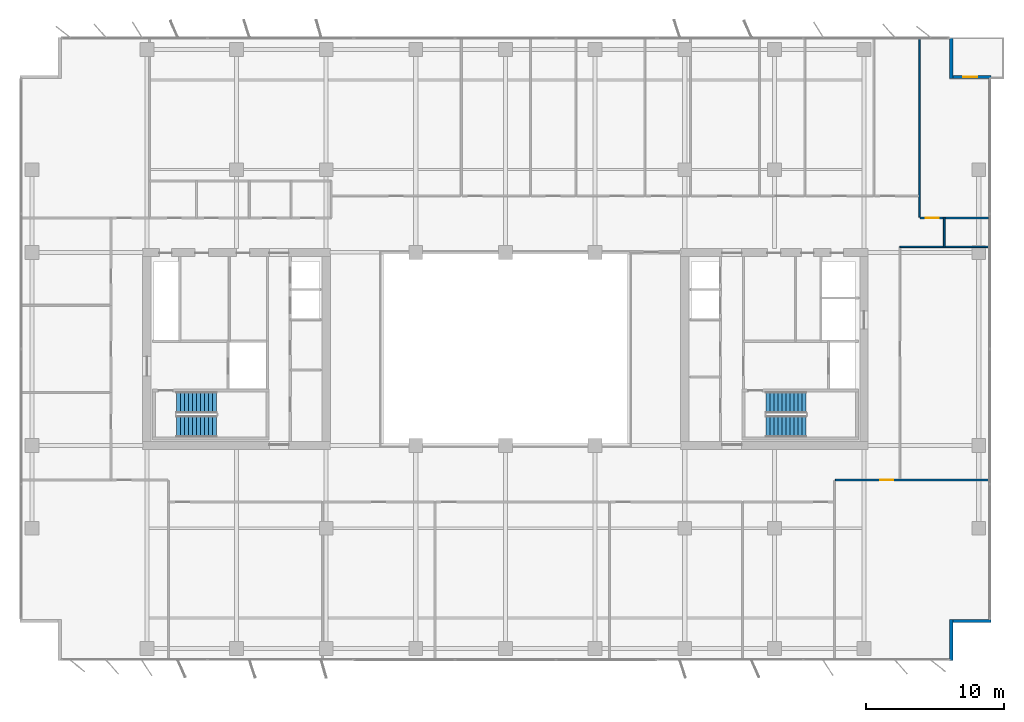
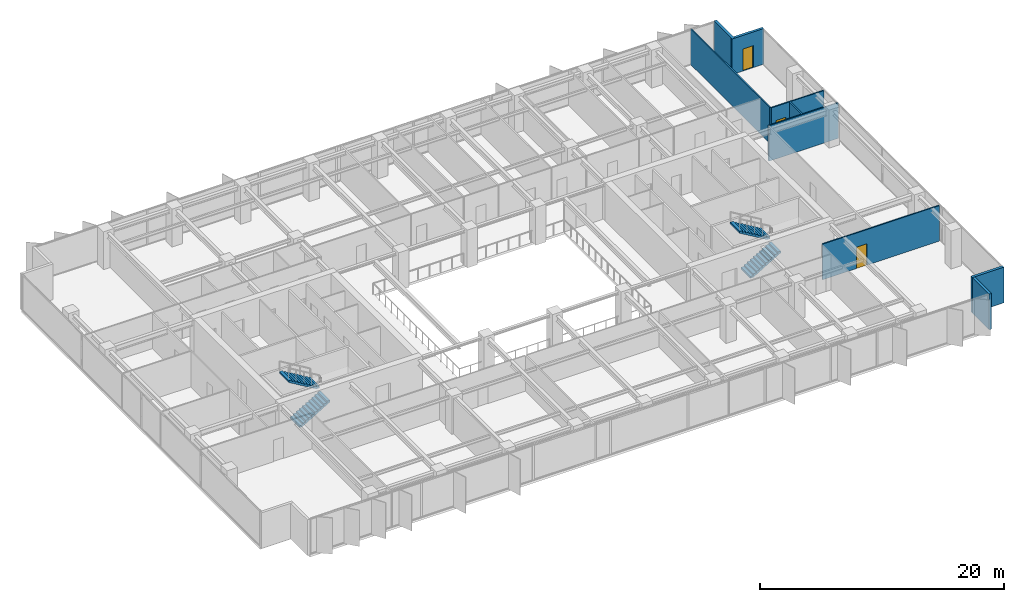
# One storey, part 18 of 22: 9 walls, 4 stair flights, 3 doors, 3 openings, 2 elements without a shape of their own.
"""IFC4 building model written with IfcOpenShell, lengths in metres."""

import ifcopenshell
import ifcopenshell.guid

model = None  # the IFC model being written
_history = None  # IfcOwnerHistory: only IFC2X3 demands one
_inside = {}  # id of a spatial element -> (the spatial element, [elements in it])
_under = {}  # id of a project, library or spatial element -> (it, [spatial elements below it])
_declared = {}  # id of a project -> (the project, [libraries it declares])
_typed = {}  # id of a type object -> (the type object, [elements of that type])
_made_of = {}  # id of a material, layer set ... -> (it, [elements and type objects made of it])


def new_model(schema):
    """Start an empty IFC model of exactly this schema.

    Asked for "IFC4X3", IfcOpenShell would pick the latest addendum, in which some entities
    have other attributes; the version numbers below select the first issue.
    IFC2X3 requires an IfcOwnerHistory on every rooted entity: one is made here for all.
    """
    global model, _history
    if schema == "IFC4X3":
        model = ifcopenshell.file(schema_version=(4, 3, 0, 0))
    else:
        model = ifcopenshell.file(schema=schema)
    _inside.clear()
    _under.clear()
    _declared.clear()
    _typed.clear()
    _made_of.clear()
    _history = None
    if model.schema == "IFC2X3":
        org = make("IfcOrganization", Name="unknown")
        user = make(
            "IfcPersonAndOrganization",
            ThePerson=make("IfcPerson", FamilyName="unknown"),
            TheOrganization=org,
        )
        app = make(
            "IfcApplication",
            ApplicationDeveloper=org,
            Version="unknown",
            ApplicationFullName="unknown",
            ApplicationIdentifier="unknown",
        )
        _history = make(
            "IfcOwnerHistory",
            OwningUser=user,
            OwningApplication=app,
            ChangeAction="ADDED",
            CreationDate=0,
        )
    return model


def make(cls, **values):
    """One entity of the class cls with the attributes given. An attribute that is None is left unset."""
    return model.create_entity(
        cls, **{name: value for name, value in values.items() if value is not None}
    )


def rooted(cls, **values):
    """An entity with a GlobalId (a new one), such as an element, a storey or a relation."""
    return make(cls, GlobalId=ifcopenshell.guid.new(), OwnerHistory=_history, **values)


def si_unit(unit_type, name, prefix=None):
    """IfcSIUnit, for example si_unit("LENGTHUNIT", "METRE", prefix="MILLI")."""
    return make("IfcSIUnit", UnitType=unit_type, Prefix=prefix, Name=name)


def assignment(units):
    """IfcUnitAssignment: the units of a project."""
    return None if units is None else make("IfcUnitAssignment", Units=units)


def point(xyz):
    """IfcCartesianPoint."""
    return None if xyz is None else make("IfcCartesianPoint", Coordinates=xyz)


def direction(xyz):
    """IfcDirection."""
    return None if xyz is None else make("IfcDirection", DirectionRatios=xyz)


def frame(location, z_axis=None, x_axis=None):
    """IfcAxis2Placement3D, a coordinate frame: its origin and axes. An axis left out is left unset."""
    return make(
        "IfcAxis2Placement3D",
        Location=point(location),
        Axis=direction(z_axis),
        RefDirection=direction(x_axis),
    )


def frame_2d(location, x_axis=None):
    """IfcAxis2Placement2D, a coordinate frame in the plane: its origin and x axis."""
    return make(
        "IfcAxis2Placement2D", Location=point(location), RefDirection=direction(x_axis)
    )


def origin():
    """The frame at (0, 0, 0) with its axes left unset."""
    return frame((0.0, 0.0, 0.0))


def place(relative_to, where):
    """IfcLocalPlacement: puts the frame where relative to a parent placement (None: the world)."""
    return make(
        "IfcLocalPlacement", PlacementRelTo=relative_to, RelativePlacement=where
    )


def context(
    kind, dimensions, precision=None, world=None, true_north=None, identifier=None
):
    """IfcGeometricRepresentationContext, for example the 3D "Model" context."""
    return make(
        "IfcGeometricRepresentationContext",
        ContextIdentifier=identifier,
        ContextType=kind,
        CoordinateSpaceDimension=dimensions,
        Precision=precision,
        WorldCoordinateSystem=world,
        TrueNorth=true_north,
    )


def subcontext(parent, identifier, kind, view, scale=None):
    """IfcGeometricRepresentationSubContext, for example "Body" below "Model"."""
    return make(
        "IfcGeometricRepresentationSubContext",
        ContextIdentifier=identifier,
        ContextType=kind,
        ParentContext=parent,
        TargetScale=scale,
        TargetView=view,
    )


def project(units=None, contexts=None):
    """IfcProject with its units and contexts."""
    return rooted(
        "IfcProject",
        Name="project",
        RepresentationContexts=contexts,
        UnitsInContext=assignment(units),
    )


def spatial(cls, under=None, at=None, **own):
    """A site, building, storey or space (cls), placed at a placement, below another one or the project."""
    s = rooted(cls, ObjectPlacement=at, **own)
    if under is not None:
        _under.setdefault(under.id(), (under, []))[1].append(s)
    return s


def polyline(points):
    """IfcPolyline through the points."""
    return make("IfcPolyline", Points=[point(p) for p in points])


def profile(cls, at=None, kind="AREA", **sizes):
    """A parametric profile (cls). Its sizes go by their IFC names, for example OverallWidth=200.0."""
    return make(cls, ProfileType=kind, Position=at, **sizes)


def rectangle(**sizes):
    """IfcRectangleProfileDef."""
    return profile("IfcRectangleProfileDef", **sizes)


def outline(outer, holes=None, kind="AREA"):
    """IfcArbitraryClosedProfileDef: a profile drawn as a closed curve; with holes, ...WithVoids."""
    if holes is None:
        return make("IfcArbitraryClosedProfileDef", ProfileType=kind, OuterCurve=outer)
    return make(
        "IfcArbitraryProfileDefWithVoids",
        ProfileType=kind,
        OuterCurve=outer,
        InnerCurves=holes,
    )


def extrude(swept, where, along, depth):
    """IfcExtrudedAreaSolid: the profile swept, set in the frame where, extruded along a direction by depth."""
    return make(
        "IfcExtrudedAreaSolid",
        SweptArea=swept,
        Position=where,
        ExtrudedDirection=direction(along),
        Depth=depth,
    )


def shape(context_of_items, identifier, shape_type, items):
    """IfcShapeRepresentation: the items that make up one representation, for example the "Body"."""
    return make(
        "IfcShapeRepresentation",
        ContextOfItems=context_of_items,
        RepresentationIdentifier=identifier,
        RepresentationType=shape_type,
        Items=items,
    )


def material(Name=None, Category=None):
    """IfcMaterial."""
    return make("IfcMaterial", Name=Name, Category=Category)


def layer(
    of_material, thickness, ventilated=None, Name=None, Category=None, Priority=None
):
    """IfcMaterialLayer: one layer of a wall or slab, of a material (None: an air gap)."""
    return make(
        "IfcMaterialLayer",
        Material=of_material,
        LayerThickness=thickness,
        IsVentilated=ventilated,
        Name=Name,
        Category=Category,
        Priority=Priority,
    )


def layer_set(layers, Name=None):
    """IfcMaterialLayerSet."""
    return make("IfcMaterialLayerSet", MaterialLayers=layers, LayerSetName=Name)


def made_of(thing, what):
    """Note that an element or type object is made of a material, layer set ...; save() writes the relation."""
    if what is not None:
        _made_of.setdefault(what.id(), (what, []))[1].append(thing)
    return thing


def type_object(cls, material=None, **own):
    """A type object (cls), such as IfcWallType, which elements share."""
    return made_of(rooted(cls, **own), material)


def element(
    cls,
    number,
    at=None,
    inside=None,
    cuts=None,
    type_object=None,
    material=None,
    context=None,
    identifier="Body",
    shape_type=None,
    held_by="IfcProductDefinitionShape",
    body=None,
    shapes=None,
    **own,
):
    """One element of the class cls, such as IfcWall. Its Tag is "e" and its number.

    at: its placement. inside: the storey or other place that contains it. cuts: it is an
    opening in that element (IfcRelVoidsElement). A single representation is given by context,
    identifier, shape_type and body (its items); several are given by shapes. held_by: the class
    of the entity that holds the representations. save() writes the other relations.
    """
    e = rooted(cls, Tag="e%d" % number, ObjectPlacement=at, **own)
    if body is not None:
        shapes = [shape(context, identifier, shape_type, body)]
    if shapes is not None:
        e.Representation = make(held_by, Representations=shapes)
    if inside is not None:
        _inside.setdefault(inside.id(), (inside, []))[1].append(e)
    if cuts is not None:
        rooted(
            "IfcRelVoidsElement", RelatingBuildingElement=cuts, RelatedOpeningElement=e
        )
    if type_object is not None:
        _typed.setdefault(type_object.id(), (type_object, []))[1].append(e)
    return made_of(e, material)


def fill(opening, filler):
    """IfcRelFillsElement: the door or window that sits in an opening."""
    return rooted(
        "IfcRelFillsElement",
        RelatingOpeningElement=opening,
        RelatedBuildingElement=filler,
    )


def aggregate(whole, parts):
    """IfcRelAggregates: a whole, such as a stair, and the parts it consists of."""
    return rooted("IfcRelAggregates", RelatingObject=whole, RelatedObjects=parts)


def save(model, path):
    """Write the relations noted so far, then the file.

    IfcRelAggregates (storeys below a building ...), IfcRelContainedInSpatialStructure (elements
    in a storey), IfcRelDefinesByType, IfcRelAssociatesMaterial and IfcRelDeclares: one each for
    every whole, place, type object, material and project.
    """
    for whole, parts in _under.values():
        aggregate(whole, parts)
    for where, things in _inside.values():
        rooted(
            "IfcRelContainedInSpatialStructure",
            RelatedElements=things,
            RelatingStructure=where,
        )
    for kind, things in _typed.values():
        rooted("IfcRelDefinesByType", RelatedObjects=things, RelatingType=kind)
    for what, things in _made_of.values():
        rooted("IfcRelAssociatesMaterial", RelatedObjects=things, RelatingMaterial=what)
    for by, libraries in _declared.values():
        rooted("IfcRelDeclares", RelatingContext=by, RelatedDefinitions=libraries)
    model.write(path)


model = new_model("IFC4")

# Units and contexts
model_context = context("Model", 3, precision=1e-05, world=origin(), true_north=direction((0.0, 1.0)))
body_context = subcontext(model_context, "Body", "Model", "MODEL_VIEW")
ifc_project = project(units=[si_unit("LENGTHUNIT", "METRE"), si_unit("AREAUNIT", "SQUARE_METRE"), si_unit("VOLUMEUNIT", "CUBIC_METRE"), si_unit("PLANEANGLEUNIT", "RADIAN"), si_unit("MASSUNIT", "GRAM", prefix="KILO")], contexts=[model_context])

# Site, building, storey
site_placement = place(None, origin())
site = spatial("IfcSite", under=ifc_project, at=site_placement, CompositionType="ELEMENT")
building_placement = place(site_placement, origin())
building = spatial("IfcBuilding", under=site, at=building_placement, Name="Putna Gate Headquarters", CompositionType="ELEMENT")
storey_placement = place(building_placement, frame((0.0, 0.0, 189.800048828125)))
storey = spatial("IfcBuildingStorey", under=building, at=storey_placement, Name="L47", CompositionType="ELEMENT", Elevation=189.800048828125)

# Wall
ifc_material_1 = material(Name="Precast concrete C40/50", Category="concrete")
ifc_layer_1 = layer(ifc_material_1, 0.239990234375)
ifc_layer_set_1 = layer_set([ifc_layer_1], Name="Precast concrete C40/50")
wall_type_1 = type_object("IfcWallType", Name="WALL-EXT-TERR-240", PredefinedType="STANDARD", material=ifc_layer_set_1)
wall_1_placement = place(storey_placement, frame((71.320068359375, 48.60009765625, 0.0), z_axis=(0.0, 0.0, 1.0), x_axis=(0.0, -1.0, 0.0)))
element("IfcWall", 1, at=wall_1_placement, inside=storey, type_object=wall_type_1, Name="L47 Corner Notch Return Wall NE-V", PredefinedType="STANDARD", context=body_context, shape_type="SweptSolid", body=[
    extrude(rectangle(XDim=3.0, YDim=0.239990234375, at=frame_2d((1.5, 0.0))), origin(), (0.0, 0.0, 1.0), 3.572021484375),
])

# Wall, opening, door
wall_2_placement = place(storey_placement, frame((71.199951171875, 45.719970703125, 0.0), z_axis=(0.0, 0.0, 1.0), x_axis=(1.0, 0.0, 0.0)))
wall_2 = element("IfcWall", 2, at=wall_2_placement, inside=storey, type_object=wall_type_1, Name="L47 Corner Notch Return Wall NE-H", PredefinedType="STANDARD", context=body_context, shape_type="SweptSolid", body=[
    extrude(rectangle(XDim=3.0, YDim=0.239990234375, at=frame_2d((1.5, 0.0))), origin(), (0.0, 0.0, 1.0), 3.572021484375),
])
opening_1_placement = place(wall_2_placement, frame((1.0, 0.0, 0.0)))
opening_1 = element("IfcOpeningElement", 3, at=opening_1_placement, cuts=wall_2, Name="Opening TRD-1", PredefinedType="OPENING", context=body_context, shape_type="SweptSolid", body=[
    extrude(rectangle(XDim=1.0, YDim=2.199951171875, at=frame_2d((0.5, 1.10009765625))), frame((0.0, 0.1298828125, 0.0), z_axis=(0.0, -1.0, 0.0), x_axis=(1.0, 0.0, 0.0)), (0.0, 0.0, 1.0), 0.260009765625),
])
ifc_material_2 = material(Name="Thermally broken bronze glazed terrace door")
door_type_1 = type_object("IfcDoorType", Name="DOOR-TERR-EXT-1000", OperationType="NOTDEFINED", PredefinedType="DOOR", material=ifc_material_2)
door_1_placement = place(opening_1_placement, origin())
door_1 = element("IfcDoor", 4, at=door_1_placement, inside=storey, type_object=door_type_1, Name="L47 Spiral Sky Terrace Door NE", OperationType="SINGLE_SWING_LEFT", OverallHeight=2.199951171875, OverallWidth=1.0, PredefinedType="DOOR", context=body_context, shape_type="SweptSolid", body=[
    extrude(rectangle(XDim=1.0, YDim=2.199951171875, at=frame_2d((0.5, 1.10009765625))), frame((0.0, 0.02490234375, 0.0), z_axis=(0.0, -1.0, 0.0), x_axis=(1.0, 0.0, 0.0)), (0.0, 0.0, 1.0), 0.050048828125),
])
fill(opening_1, door_1)

# Walls
for number, where, z_axis, x_axis, name in (
    (5, (71.320068359375, 6.39990234375, 0.0), (0.0, 0.0, 1.0), (0.0, -1.0, 0.0), "L47 Corner Notch Return Wall SE-V"),
    (6, (74.199951171875, 6.280029296875, 0.0), (0.0, 0.0, 1.0), (-1.0, 0.0, 0.0), "L47 Corner Notch Return Wall SE-H"),
):
    element("IfcWall", number, at=place(storey_placement, frame(where, z_axis=z_axis, x_axis=x_axis)), inside=storey, type_object=wall_type_1, Name=name, PredefinedType="STANDARD", context=body_context, shape_type="SweptSolid", body=[
        extrude(rectangle(XDim=3.0, YDim=0.239990234375, at=frame_2d((1.5, 0.0))), origin(), (0.0, 0.0, 1.0), 3.572021484375),
    ])
ifc_material_3 = material(Name="Acoustic gypsum board on metal stud")
ifc_layer_2 = layer(ifc_material_3, 0.1201171875)
ifc_layer_set_2 = layer_set([ifc_layer_2], Name="Acoustic gypsum board on metal stud")
wall_type_2 = type_object("IfcWallType", Name="WALL-PART-120", PredefinedType="PARTITIONING", material=ifc_layer_set_2)
wall_3_placement = place(storey_placement, frame((69.013427734375, 35.56005859375, 0.0), z_axis=(0.0, 0.0, 1.0), x_axis=(0.0, 1.0, 0.0)))
element("IfcWall", 7, at=wall_3_placement, inside=storey, type_object=wall_type_2, Name="L47 Interior Wall PART-L47-NB-DIV-10", PredefinedType="PARTITIONING", context=body_context, shape_type="SweptSolid", body=[
    extrude(rectangle(XDim=13.02001953125, YDim=0.1201171875, at=frame_2d((6.510009765625, 0.0))), origin(), (0.0, 0.0, 1.0), 3.572021484375),
])
ifc_material_4 = material(Name="Fire-rated gypsum board on metal stud")
ifc_layer_3 = layer(ifc_material_4, 0.1201171875)
ifc_layer_set_3 = layer_set([ifc_layer_3], Name="Fire-rated gypsum board on metal stud")
wall_type_3 = type_object("IfcWallType", Name="WALL-PART-120-RATED", PredefinedType="PARTITIONING", material=ifc_layer_set_3)
wall_4_placement = place(storey_placement, frame((70.8134765625, 33.39990234375, 0.0), z_axis=(0.0, 0.0, 1.0), x_axis=(0.0, 1.0, 0.0)))
element("IfcWall", 8, at=wall_4_placement, inside=storey, type_object=wall_type_3, Name="L47 Interior Wall PART-L47-CORRN-CAPE", PredefinedType="PARTITIONING", context=body_context, shape_type="SweptSolid", body=[
    extrude(rectangle(XDim=2.10009765625, YDim=0.1201171875, at=frame_2d((1.050048828125, 0.0))), origin(), (0.0, 0.0, 1.0), 3.572021484375),
])

# Wall, opening, door
wall_5_placement = place(storey_placement, frame((69.073486328125, 35.5, 0.0), z_axis=(0.0, 0.0, 1.0), x_axis=(1.0, 0.0, 0.0)))
wall_5 = element("IfcWall", 9, at=wall_5_placement, inside=storey, type_object=wall_type_3, Name="L47 Interior Wall PART-L47-NB-CW-11", PredefinedType="PARTITIONING", context=body_context, shape_type="SweptSolid", body=[
    extrude(rectangle(XDim=4.946533203125, YDim=0.1201171875, at=frame_2d((2.47314453125, 0.0))), origin(), (0.0, 0.0, 1.0), 3.572021484375),
])
opening_2_placement = place(wall_5_placement, frame((0.39501953125, 0.0, 0.0)))
opening_2 = element("IfcOpeningElement", 10, at=opening_2_placement, cuts=wall_5, Name="Opening FD-95", PredefinedType="OPENING", context=body_context, shape_type="SweptSolid", body=[
    extrude(rectangle(XDim=0.949951171875, YDim=2.14990234375, at=frame_2d((0.47509765625, 1.074951171875))), frame((0.0, 0.070068359375, 0.0), z_axis=(0.0, -1.0, 0.0), x_axis=(1.0, 0.0, 0.0)), (0.0, 0.0, 1.0), 0.14013671875),
])
ifc_material_5 = material(Name="Acoustic timber fire door", Category="wood")
door_type_2 = type_object("IfcDoorType", Name="DOOR-FIRE-950", OperationType="NOTDEFINED", PredefinedType="DOOR", material=ifc_material_5)
door_2_placement = place(opening_2_placement, origin())
door_2 = element("IfcDoor", 11, at=door_2_placement, inside=storey, type_object=door_type_2, Name="L47 Conference Meeting Room 4 Door", OperationType="SINGLE_SWING_RIGHT", OverallHeight=2.14990234375, OverallWidth=0.949951171875, PredefinedType="DOOR", context=body_context, shape_type="SweptSolid", body=[
    extrude(rectangle(XDim=0.949951171875, YDim=2.14990234375, at=frame_2d((0.47509765625, 1.074951171875))), frame((0.0, 0.02490234375, 0.0), z_axis=(0.0, -1.0, 0.0), x_axis=(1.0, 0.0, 0.0)), (0.0, 0.0, 1.0), 0.050048828125),
])
fill(opening_2, door_2)

wall_6_placement = place(storey_placement, frame((62.9296875, 16.5, 0.0), z_axis=(0.0, 0.0, 1.0), x_axis=(1.0, 0.0, 0.0)))
wall_6 = element("IfcWall", 12, at=wall_6_placement, inside=storey, type_object=wall_type_3, Name="L47 Interior Wall PART-L47-SB-CW-07", PredefinedType="PARTITIONING", context=body_context, shape_type="SweptSolid", body=[
    extrude(rectangle(XDim=11.09033203125, YDim=0.1201171875, at=frame_2d((5.545166015625, 0.0))), origin(), (0.0, 0.0, 1.0), 3.572021484375),
])
opening_3_placement = place(wall_6_placement, frame((3.240478515625, 0.0, 0.0)))
opening_3 = element("IfcOpeningElement", 13, at=opening_3_placement, cuts=wall_6, Name="Opening FD-95", PredefinedType="OPENING", context=body_context, shape_type="SweptSolid", body=[
    extrude(rectangle(XDim=0.949951171875, YDim=2.14990234375, at=frame_2d((0.47509765625, 1.074951171875))), frame((0.0, 0.070068359375, 0.0), z_axis=(0.0, -1.0, 0.0), x_axis=(1.0, 0.0, 0.0)), (0.0, 0.0, 1.0), 0.14013671875),
])
door_3_placement = place(opening_3_placement, origin())
door_3 = element("IfcDoor", 14, at=door_3_placement, inside=storey, type_object=door_type_2, Name="L47 Conference Meeting Room 6 Door", OperationType="SINGLE_SWING_LEFT", OverallHeight=2.14990234375, OverallWidth=0.949951171875, PredefinedType="DOOR", context=body_context, shape_type="SweptSolid", body=[
    extrude(rectangle(XDim=0.949951171875, YDim=2.14990234375, at=frame_2d((0.47509765625, 1.074951171875))), frame((0.0, 0.02490234375, 0.0), z_axis=(0.0, -1.0, 0.0), x_axis=(1.0, 0.0, 0.0)), (0.0, 0.0, 1.0), 0.050048828125),
])
fill(opening_3, door_3)

# Wall
wall_7_placement = place(storey_placement, frame((67.60009765625, 33.39990234375, 0.0), z_axis=(0.0, 0.0, 1.0), x_axis=(1.0, 0.0, 0.0)))
element("IfcWall", 15, at=wall_7_placement, inside=storey, type_object=wall_type_3, Name="L47 Interior Wall PART-L47-EW-N-BOUND", PredefinedType="PARTITIONING", context=body_context, shape_type="SweptSolid", body=[
    extrude(rectangle(XDim=6.579833984375, YDim=0.1201171875, at=frame_2d((3.2900390625, 0.0))), origin(), (0.0, 0.0, 1.0), 3.572021484375),
])

# Stair, stair flights
ifc_material_6 = material(Name="Concrete C40/50", Category="concrete")
stair_type_1 = type_object("IfcStairType", Name="STAIR-ST1", PredefinedType="HALF_TURN_STAIR", material=ifc_material_6)
stair_1_placement = place(storey_placement, origin())
stair_1 = element("IfcStair", 16, at=stair_1_placement, inside=storey, type_object=stair_type_1, Name="L47 West Core Exit Stair ST1", PredefinedType="HALF_TURN_STAIR")
stair_flight_type_1 = type_object("IfcStairFlightType", Name="FLIGHT-ST1", PredefinedType="STRAIGHT", material=ifc_material_6)
stair_flight_1_placement = place(storey_placement, frame((15.14990234375, 20.375, 0.0), z_axis=(0.0, 0.0, 1.0), x_axis=(1.0, 0.0, 0.0)))
stair_flight_1 = element("IfcStairFlight", 17, at=stair_flight_1_placement, type_object=stair_flight_type_1, Name="ST1 flight 1", NumberOfRisers=11, NumberOfTreads=10, PredefinedType="STRAIGHT", RiserHeight=0.172727273, TreadLength=0.29, context=body_context, shape_type="SweptSolid", body=[
    extrude(outline(polyline([(0.0, 0.0), (0.0, 0.172607421875), (0.2900390625, 0.172607421875), (0.2900390625, 0.345458984375), (0.580078125, 0.345458984375), (0.580078125, 0.51806640625), (0.8701171875, 0.51806640625), (0.8701171875, 0.69091796875), (1.159912109375, 0.69091796875), (1.159912109375, 0.863525390625), (1.449951171875, 0.863525390625), (1.449951171875, 1.036376953125), (1.739990234375, 1.036376953125), (1.739990234375, 1.208984375), (2.030029296875, 1.208984375), (2.030029296875, 1.3818359375), (2.320068359375, 1.3818359375), (2.320068359375, 1.554443359375), (2.610107421875, 1.554443359375), (2.610107421875, 1.727294921875), (2.89990234375, 1.727294921875), (2.89990234375, 1.89990234375), (2.89990234375, 1.552734375), (0.29296875, 0.0), (0.0, 0.0)])), frame((0.0, 0.77490234375, 0.0), z_axis=(0.0, -1.0, 0.0), x_axis=(1.0, 0.0, 0.0)), (0.0, 0.0, 1.0), 1.550048828125),
])
stair_flight_2_placement = place(storey_placement, frame((18.050048828125, 22.125, 1.89990234375), z_axis=(0.0, 0.0, 1.0), x_axis=(-1.0, 0.0, 0.0)))
stair_flight_2 = element("IfcStairFlight", 18, at=stair_flight_2_placement, type_object=stair_flight_type_1, Name="ST1 flight 2", NumberOfRisers=11, NumberOfTreads=10, PredefinedType="STRAIGHT", RiserHeight=0.172727273, TreadLength=0.29, context=body_context, shape_type="SweptSolid", body=[
    extrude(outline(polyline([(0.0, 0.0), (0.0, 0.172607421875), (0.2900390625, 0.172607421875), (0.2900390625, 0.345458984375), (0.580078125, 0.345458984375), (0.580078125, 0.51806640625), (0.8701171875, 0.51806640625), (0.8701171875, 0.69091796875), (1.159912109375, 0.69091796875), (1.159912109375, 0.863525390625), (1.449951171875, 0.863525390625), (1.449951171875, 1.036376953125), (1.739990234375, 1.036376953125), (1.739990234375, 1.208984375), (2.030029296875, 1.208984375), (2.030029296875, 1.3818359375), (2.320068359375, 1.3818359375), (2.320068359375, 1.554443359375), (2.610107421875, 1.554443359375), (2.610107421875, 1.727294921875), (2.89990234375, 1.727294921875), (2.89990234375, 1.89990234375), (2.89990234375, 1.552734375), (0.29296875, 0.0), (0.0, 0.0)])), frame((0.0, 0.77490234375, 0.0), z_axis=(0.0, -1.0, 0.0), x_axis=(1.0, 0.0, 0.0)), (0.0, 0.0, 1.0), 1.550048828125),
])
aggregate(stair_1, [stair_flight_1, stair_flight_2])

stair_type_2 = type_object("IfcStairType", Name="STAIR-ST2", PredefinedType="HALF_TURN_STAIR", material=ifc_material_6)
stair_2_placement = place(storey_placement, origin())
stair_2 = element("IfcStair", 19, at=stair_2_placement, inside=storey, type_object=stair_type_2, Name="L47 East Core Exit Stair ST2", PredefinedType="HALF_TURN_STAIR")
stair_flight_type_2 = type_object("IfcStairFlightType", Name="FLIGHT-ST2", PredefinedType="STRAIGHT", material=ifc_material_6)
stair_flight_3_placement = place(storey_placement, frame((57.89990234375, 20.375, 0.0), z_axis=(0.0, 0.0, 1.0), x_axis=(1.0, 0.0, 0.0)))
stair_flight_3 = element("IfcStairFlight", 20, at=stair_flight_3_placement, type_object=stair_flight_type_2, Name="ST2 flight 1", NumberOfRisers=11, NumberOfTreads=10, PredefinedType="STRAIGHT", RiserHeight=0.172727273, TreadLength=0.29, context=body_context, shape_type="SweptSolid", body=[
    extrude(outline(polyline([(0.0, 0.0), (0.0, 0.172607421875), (0.2900390625, 0.172607421875), (0.2900390625, 0.345458984375), (0.580078125, 0.345458984375), (0.580078125, 0.51806640625), (0.8701171875, 0.51806640625), (0.8701171875, 0.69091796875), (1.159912109375, 0.69091796875), (1.159912109375, 0.863525390625), (1.449951171875, 0.863525390625), (1.449951171875, 1.036376953125), (1.739990234375, 1.036376953125), (1.739990234375, 1.208984375), (2.030029296875, 1.208984375), (2.030029296875, 1.3818359375), (2.320068359375, 1.3818359375), (2.320068359375, 1.554443359375), (2.610107421875, 1.554443359375), (2.610107421875, 1.727294921875), (2.89990234375, 1.727294921875), (2.89990234375, 1.89990234375), (2.89990234375, 1.552734375), (0.29296875, 0.0), (0.0, 0.0)])), frame((0.0, 0.77490234375, 0.0), z_axis=(0.0, -1.0, 0.0), x_axis=(1.0, 0.0, 0.0)), (0.0, 0.0, 1.0), 1.550048828125),
])
stair_flight_4_placement = place(storey_placement, frame((60.800048828125, 22.125, 1.89990234375), z_axis=(0.0, 0.0, 1.0), x_axis=(-1.0, 0.0, 0.0)))
stair_flight_4 = element("IfcStairFlight", 21, at=stair_flight_4_placement, type_object=stair_flight_type_2, Name="ST2 flight 2", NumberOfRisers=11, NumberOfTreads=10, PredefinedType="STRAIGHT", RiserHeight=0.172727273, TreadLength=0.29, context=body_context, shape_type="SweptSolid", body=[
    extrude(outline(polyline([(0.0, 0.0), (0.0, 0.172607421875), (0.2900390625, 0.172607421875), (0.2900390625, 0.345458984375), (0.580078125, 0.345458984375), (0.580078125, 0.51806640625), (0.8701171875, 0.51806640625), (0.8701171875, 0.69091796875), (1.159912109375, 0.69091796875), (1.159912109375, 0.863525390625), (1.449951171875, 0.863525390625), (1.449951171875, 1.036376953125), (1.739990234375, 1.036376953125), (1.739990234375, 1.208984375), (2.030029296875, 1.208984375), (2.030029296875, 1.3818359375), (2.320068359375, 1.3818359375), (2.320068359375, 1.554443359375), (2.610107421875, 1.554443359375), (2.610107421875, 1.727294921875), (2.89990234375, 1.727294921875), (2.89990234375, 1.89990234375), (2.89990234375, 1.552734375), (0.29296875, 0.0), (0.0, 0.0)])), frame((0.0, 0.77490234375, 0.0), z_axis=(0.0, -1.0, 0.0), x_axis=(1.0, 0.0, 0.0)), (0.0, 0.0, 1.0), 1.550048828125),
])
aggregate(stair_2, [stair_flight_3, stair_flight_4])

save(model, "model.ifc")
